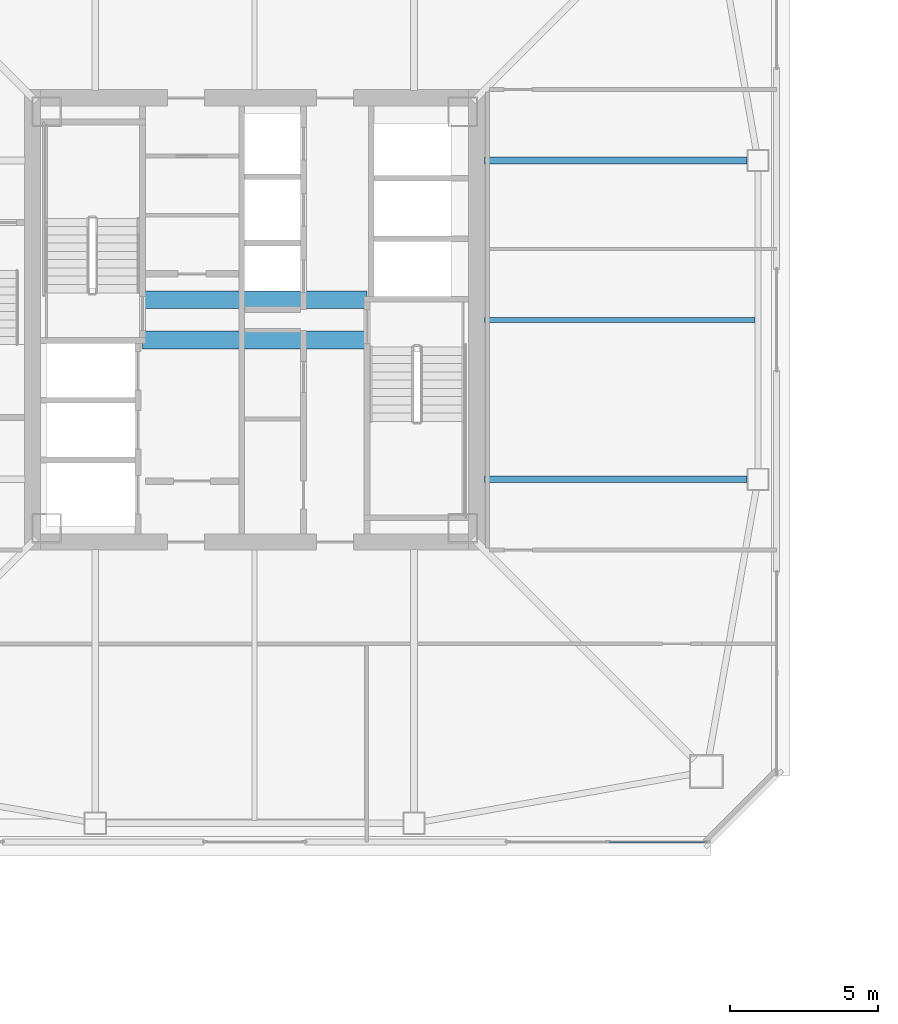
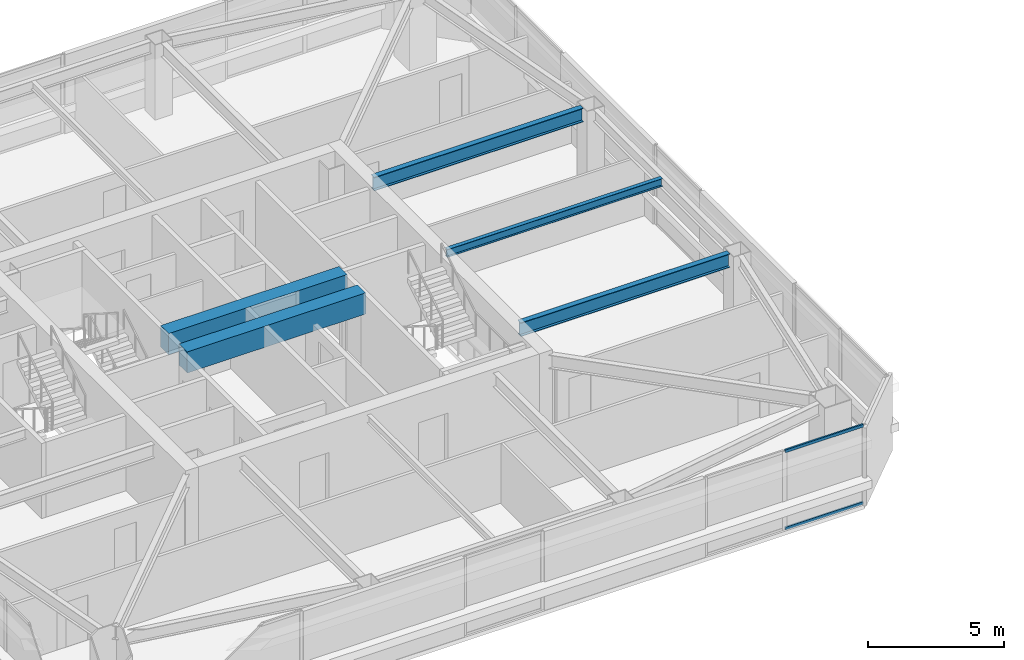
# One storey, part 9 of 43: 5 beams, 2 members, 1 element without a shape of its own.
"""IFC4 building model written with IfcOpenShell, lengths in metres."""

from ifc_helpers import new_model, si_unit, direction, frame, origin, origin_2d, place, context, subcontext, project, spatial, rectangle, hollow_rectangle, i_section, extrude, material, material_profile, profile_set, type_object, element, aggregate, save


model = new_model("IFC4")

# Units and contexts
model_context = context("Model", 3, precision=1e-05, world=origin(), true_north=direction((0.0, 1.0)))
body_context = subcontext(model_context, "Body", "Model", "MODEL_VIEW")
ifc_project = project(units=[si_unit("LENGTHUNIT", "METRE"), si_unit("AREAUNIT", "SQUARE_METRE"), si_unit("VOLUMEUNIT", "CUBIC_METRE"), si_unit("PLANEANGLEUNIT", "RADIAN"), si_unit("MASSUNIT", "GRAM", prefix="KILO")], contexts=[model_context])

# Site, building, storey
site_placement = place(None, origin())
site = spatial("IfcSite", under=ifc_project, at=site_placement, CompositionType="ELEMENT")
building_placement = place(site_placement, origin())
building = spatial("IfcBuilding", under=site, at=building_placement, Name="Tashvorn Skyway Center", CompositionType="ELEMENT")
storey_placement = place(building_placement, frame((0.0, 0.0, 185.39990234375)))
storey = spatial("IfcBuildingStorey", under=building, at=storey_placement, Name="L50", CompositionType="ELEMENT", Elevation=185.39990234375)

# Beams
ifc_material_1 = material(Name="Steel ASTM A992 Grade 50", Category="steel")
ifc_material_profile_1 = material_profile(ifc_material_1, i_section(OverallWidth=0.22998046875, OverallDepth=0.616943359375, WebThickness=0.01318359375, FlangeThickness=0.022216796875, at=origin_2d()), Name="W24X94")
ifc_profile_set_1 = profile_set([ifc_material_profile_1], Name="Steel ASTM A992 Grade 50")
beam_type_1 = type_object("IfcBeamType", Name="BM-BEAM-W24X94", PredefinedType="BEAM", material=ifc_profile_set_1)
for number, where, z_axis, x_axis, name in (
    (1, (58.679931640625, 26.60009765625, 3.0615234375), (-1.0, 0.0, 0.0), (0.0, -1.0, 0.0), "Tower 1 L50 Primary Floor Girder FC-E1"),
    (2, (58.679931640625, 37.39990234375, 3.0615234375), (-1.0, 0.0, 0.0), (0.0, -1.0, 0.0), "Tower 1 L50 Primary Floor Girder FC-E2"),
):
    element("IfcBeam", number, at=place(storey_placement, frame(where, z_axis=z_axis, x_axis=x_axis)), inside=storey, type_object=beam_type_1, Name=name, PredefinedType="BEAM", context=body_context, shape_type="SweptSolid", body=[
        extrude(i_section(OverallWidth=0.22998046875, OverallDepth=0.616943359375, WebThickness=0.01318359375, FlangeThickness=0.022216796875, at=origin_2d()), origin(), (0.0, 0.0, 1.0), 8.89990234375),
    ])
ifc_material_profile_2 = material_profile(ifc_material_1, i_section(OverallWidth=0.1708984375, OverallDepth=0.35498046875, WebThickness=0.007080078125, FlangeThickness=0.01171875, at=origin_2d()), Name="W14X34")
ifc_profile_set_2 = profile_set([ifc_material_profile_2], Name="Steel ASTM A992 Grade 50")
beam_type_2 = type_object("IfcBeamType", Name="BM-JOIST-W14X34", PredefinedType="JOIST", material=ifc_profile_set_2)
beam_placement = place(storey_placement, frame((49.7900390625, 32.0, 3.192626953125), z_axis=(1.0, 0.0, 0.0), x_axis=(0.0, 1.0, 0.0)))
element("IfcBeam", 3, at=beam_placement, inside=storey, type_object=beam_type_2, Name="Tower 1 L50 Secondary Composite Joist JE", PredefinedType="JOIST", context=body_context, shape_type="SweptSolid", body=[
    extrude(i_section(OverallWidth=0.1708984375, OverallDepth=0.35498046875, WebThickness=0.007080078125, FlangeThickness=0.01171875, at=origin_2d()), origin(), (0.0, 0.0, 1.0), 9.162353515625),
])
ifc_material_2 = material(Name="Concrete C60/75", Category="concrete")
ifc_material_profile_3 = material_profile(ifc_material_2, rectangle(XDim=0.60009765625, YDim=0.949951171875, at=origin_2d()), Name="RCB600x950")
ifc_profile_set_3 = profile_set([ifc_material_profile_3], Name="Concrete C60/75")
beam_type_3 = type_object("IfcBeamType", Name="BM-LINTEL-RCB600x950", PredefinedType="LINTEL", material=ifc_profile_set_3)
for number, where, z_axis, x_axis, name in (
    (4, (38.199951171875, 32.679931640625, 2.89501953125), (1.0, 0.0, 0.0), (0.0, 1.0, 0.0), "Tower 1 L50 Core Coupling Beam CN"),
    (5, (38.199951171875, 31.320068359375, 2.89501953125), (1.0, 0.0, 0.0), (0.0, 1.0, 0.0), "Tower 1 L50 Core Coupling Beam CS"),
):
    element("IfcBeam", number, at=place(storey_placement, frame(where, z_axis=z_axis, x_axis=x_axis)), inside=storey, type_object=beam_type_3, Name=name, PredefinedType="LINTEL", context=body_context, shape_type="SweptSolid", body=[
        extrude(rectangle(XDim=0.60009765625, YDim=0.949951171875, at=origin_2d()), origin(), (0.0, 0.0, 1.0), 7.60009765625),
    ])

# Curtain wall, members
ifc_material_3 = material(Name="Thermally broken bronze-anodized aluminium 6063-T6", Category="aluminium")
curtain_wall_type = type_object("IfcCurtainWallType", Name="CW-CW-Z4", PredefinedType="NOTDEFINED", material=ifc_material_3)
curtain_wall_placement = place(storey_placement, origin())
curtain_wall = element("IfcCurtainWall", 6, at=curtain_wall_placement, inside=storey, type_object=curtain_wall_type, Name="Tower 1 L50 South Unitised Curtain Wall Glazing Group 1", PredefinedType="NOTDEFINED")
ifc_material_profile_4 = material_profile(ifc_material_3, hollow_rectangle(XDim=0.070068359375, YDim=0.1298828125, WallThickness=0.00390625, at=origin_2d()), Name="ALU-TRAN-70x130")
ifc_profile_set_4 = profile_set([ifc_material_profile_4], Name="Thermally broken bronze-anodized aluminium 6063-T6")
member_type = type_object("IfcMemberType", Name="CWT-CW-Z4", PredefinedType="USERDEFINED", material=ifc_profile_set_4)
member_1_placement = place(storey_placement, frame((57.31005859375, 14.320068359375, 0.03515625), z_axis=(-1.0, 0.0, 0.0), x_axis=(0.0, -1.0, 0.0)))
member_1 = element("IfcMember", 7, at=member_1_placement, type_object=member_type, Name="CW-Z4 transom 1.1", ObjectType="TRANSOM", PredefinedType="USERDEFINED", context=body_context, shape_type="SweptSolid", body=[
    extrude(hollow_rectangle(XDim=0.070068359375, YDim=0.1298828125, WallThickness=0.00390625, at=origin_2d()), origin(), (0.0, 0.0, 1.0), 3.312744140625),
])
member_2_placement = place(storey_placement, frame((57.31005859375, 14.320068359375, 3.51513671875), z_axis=(-1.0, 0.0, 0.0), x_axis=(0.0, -1.0, 0.0)))
member_2 = element("IfcMember", 8, at=member_2_placement, type_object=member_type, Name="CW-Z4 transom 1.2", ObjectType="TRANSOM", PredefinedType="USERDEFINED", context=body_context, shape_type="SweptSolid", body=[
    extrude(hollow_rectangle(XDim=0.070068359375, YDim=0.1298828125, WallThickness=0.00390625, at=origin_2d()), origin(), (0.0, 0.0, 1.0), 3.312744140625),
])
aggregate(curtain_wall, [member_1, member_2])

save(model, "model.ifc")
